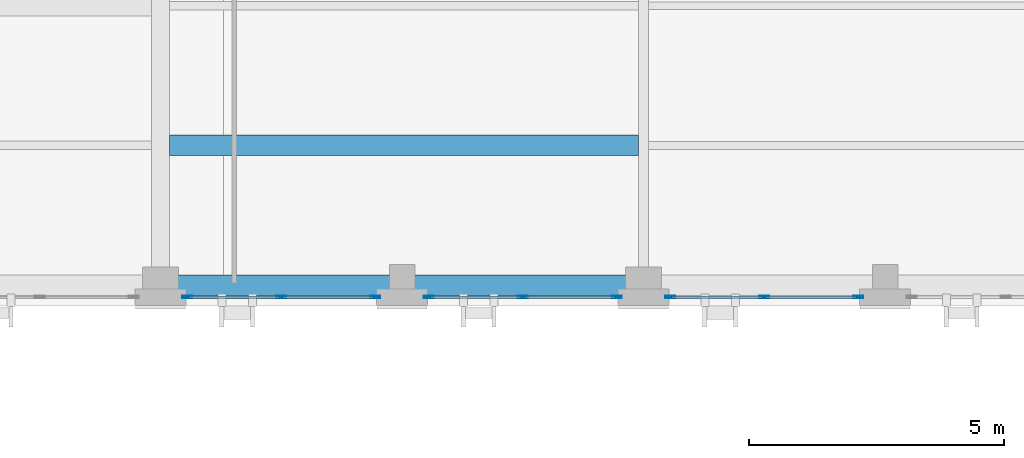
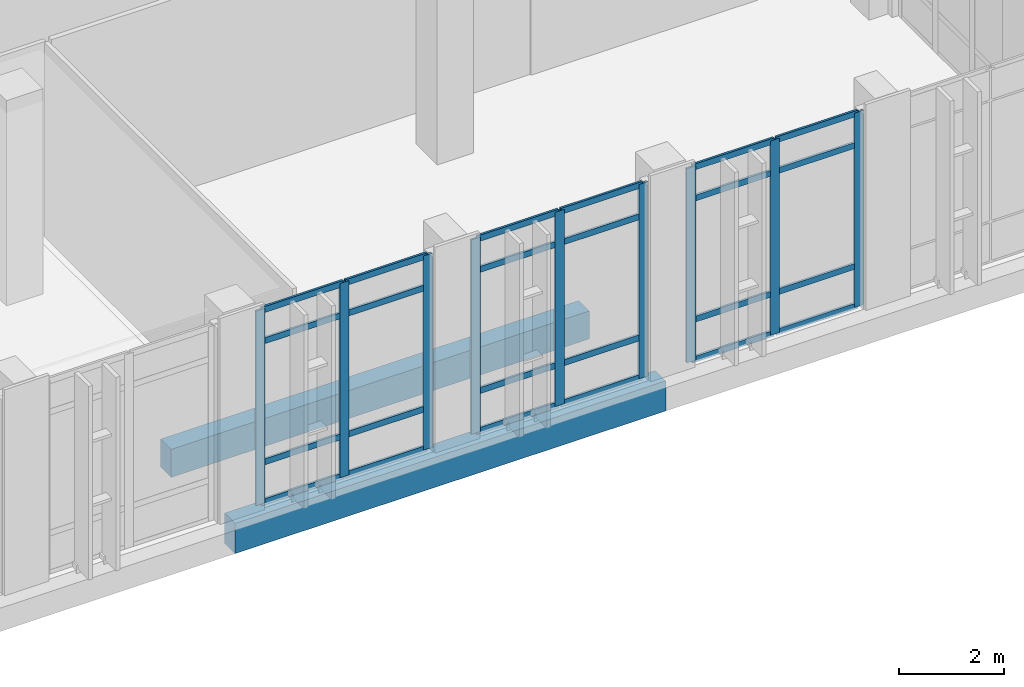
# One storey, part 34 of 189: 33 members, 2 beams, 3 elements without a shape of their own.
"""IFC4 building model written with IfcOpenShell, lengths in metres."""

from ifc_helpers import new_model, si_unit, direction, frame, origin, origin_2d, place, context, subcontext, project, spatial, rectangle, hollow_rectangle, extrude, material, layer, layer_set, material_profile, profile_set, type_object, element, aggregate, save


model = new_model("IFC4")

# Units and contexts
model_context = context("Model", 3, precision=1e-05, world=origin(), true_north=direction((0.0, 1.0)))
body_context = subcontext(model_context, "Body", "Model", "MODEL_VIEW")
ifc_project = project(units=[si_unit("LENGTHUNIT", "METRE"), si_unit("AREAUNIT", "SQUARE_METRE"), si_unit("VOLUMEUNIT", "CUBIC_METRE"), si_unit("PLANEANGLEUNIT", "RADIAN"), si_unit("MASSUNIT", "GRAM", prefix="KILO")], contexts=[model_context])

# Site, building, storey
site_placement = place(None, origin())
site = spatial("IfcSite", under=ifc_project, at=site_placement, CompositionType="ELEMENT")
building_placement = place(site_placement, origin())
building = spatial("IfcBuilding", under=site, at=building_placement, Name="Qalavern Law Courts", CompositionType="ELEMENT")
storey_placement = place(building_placement, frame((0.0, 0.0, 5.39990234375)))
storey = spatial("IfcBuildingStorey", under=building, at=storey_placement, Name="L01", CompositionType="ELEMENT", Elevation=5.39990234375)

# Curtain wall, members
ifc_material_1 = material(Name="Anodised aluminium and insulated glazing", Category="aluminium")
ifc_layer = layer(ifc_material_1, 0.18505859375)
ifc_layer_set = layer_set([ifc_layer], Name="Anodised aluminium and insulated glazing")
curtain_wall_type = type_object("IfcCurtainWallType", Name="ENV-CW-HALL", PredefinedType="USERDEFINED", material=ifc_layer_set)
curtain_wall_1_placement = place(storey_placement, origin())
curtain_wall_1 = element("IfcCurtainWall", 1, at=curtain_wall_1_placement, inside=storey, type_object=curtain_wall_type, Name="V2 unitised curtain wall L01 south 8", ObjectType="UNITISED CURTAIN WALL", PredefinedType="USERDEFINED")
ifc_material_2 = material(Name="Anodised aluminium", Category="aluminium")
ifc_material_profile_1 = material_profile(ifc_material_2, hollow_rectangle(XDim=0.048095703125, YDim=0.199951171875, WallThickness=0.00439453125, at=origin_2d()), Name="ALU MULLION 48x200")
ifc_profile_set_1 = profile_set([ifc_material_profile_1], Name="Anodised aluminium")
member_type_1 = type_object("IfcMemberType", Name="ENV-CWM-48x200", PredefinedType="MULLION", material=ifc_profile_set_1)
member_1_placement = place(storey_placement, frame((82.415283203125, 5.362548828125, 0.0), z_axis=(0.0, 0.0, 1.0), x_axis=(0.0, 1.0, 0.0)))
member_1 = element("IfcMember", 2, at=member_1_placement, type_object=member_type_1, Name="CW-02 mullion 1", PredefinedType="MULLION", context=body_context, shape_type="SweptSolid", body=[
    extrude(hollow_rectangle(XDim=0.048095703125, YDim=0.199951171875, WallThickness=0.00439453125, at=origin_2d()), origin(), (0.0, 0.0, 1.0), 4.510009765625),
])
member_2_placement = place(storey_placement, frame((84.255126953125, 5.362548828125, 0.0), z_axis=(0.0, 0.0, 1.0), x_axis=(0.0, 1.0, 0.0)))
member_2 = element("IfcMember", 3, at=member_2_placement, type_object=member_type_1, Name="CW-02 mullion 2", PredefinedType="MULLION", context=body_context, shape_type="SweptSolid", body=[
    extrude(hollow_rectangle(XDim=0.048095703125, YDim=0.199951171875, WallThickness=0.00439453125, at=origin_2d()), origin(), (0.0, 0.0, 1.0), 4.510009765625),
])
member_3_placement = place(storey_placement, frame((86.094970703125, 5.362548828125, 0.0), z_axis=(0.0, 0.0, 1.0), x_axis=(0.0, 1.0, 0.0)))
member_3 = element("IfcMember", 4, at=member_3_placement, type_object=member_type_1, Name="CW-02 mullion 3", PredefinedType="MULLION", context=body_context, shape_type="SweptSolid", body=[
    extrude(hollow_rectangle(XDim=0.048095703125, YDim=0.199951171875, WallThickness=0.00439453125, at=origin_2d()), origin(), (0.0, 0.0, 1.0), 4.510009765625),
])

curtain_wall_2_placement = place(storey_placement, origin())
curtain_wall_2 = element("IfcCurtainWall", 5, at=curtain_wall_2_placement, inside=storey, type_object=curtain_wall_type, Name="V2 unitised curtain wall L01 south 9", ObjectType="UNITISED CURTAIN WALL", PredefinedType="USERDEFINED")
member_4_placement = place(storey_placement, frame((87.14306640625, 5.362548828125, 0.0), z_axis=(0.0, 0.0, 1.0), x_axis=(0.0, 1.0, 0.0)))
member_4 = element("IfcMember", 6, at=member_4_placement, type_object=member_type_1, Name="CW-02 mullion 1", PredefinedType="MULLION", context=body_context, shape_type="SweptSolid", body=[
    extrude(hollow_rectangle(XDim=0.048095703125, YDim=0.199951171875, WallThickness=0.00439453125, at=origin_2d()), origin(), (0.0, 0.0, 1.0), 4.510009765625),
])
member_5_placement = place(storey_placement, frame((88.982421875, 5.362548828125, 0.0), z_axis=(0.0, 0.0, 1.0), x_axis=(0.0, 1.0, 0.0)))
member_5 = element("IfcMember", 7, at=member_5_placement, type_object=member_type_1, Name="CW-02 mullion 2", PredefinedType="MULLION", context=body_context, shape_type="SweptSolid", body=[
    extrude(hollow_rectangle(XDim=0.048095703125, YDim=0.199951171875, WallThickness=0.00439453125, at=origin_2d()), origin(), (0.0, 0.0, 1.0), 4.510009765625),
])
member_6_placement = place(storey_placement, frame((90.82177734375, 5.362548828125, 0.0), z_axis=(0.0, 0.0, 1.0), x_axis=(0.0, 1.0, 0.0)))
member_6 = element("IfcMember", 8, at=member_6_placement, type_object=member_type_1, Name="CW-02 mullion 3", PredefinedType="MULLION", context=body_context, shape_type="SweptSolid", body=[
    extrude(hollow_rectangle(XDim=0.048095703125, YDim=0.199951171875, WallThickness=0.00439453125, at=origin_2d()), origin(), (0.0, 0.0, 1.0), 4.510009765625),
])

curtain_wall_3_placement = place(storey_placement, origin())
curtain_wall_3 = element("IfcCurtainWall", 9, at=curtain_wall_3_placement, inside=storey, type_object=curtain_wall_type, Name="V2 unitised curtain wall L01 south 10", ObjectType="UNITISED CURTAIN WALL", PredefinedType="USERDEFINED")
member_7_placement = place(storey_placement, frame((91.86962890625, 5.362548828125, 0.0), z_axis=(0.0, 0.0, 1.0), x_axis=(0.0, 1.0, 0.0)))
member_7 = element("IfcMember", 10, at=member_7_placement, type_object=member_type_1, Name="CW-02 mullion 1", PredefinedType="MULLION", context=body_context, shape_type="SweptSolid", body=[
    extrude(hollow_rectangle(XDim=0.048095703125, YDim=0.199951171875, WallThickness=0.00439453125, at=origin_2d()), origin(), (0.0, 0.0, 1.0), 4.510009765625),
])
member_8_placement = place(storey_placement, frame((93.709228515625, 5.362548828125, 0.0), z_axis=(0.0, 0.0, 1.0), x_axis=(0.0, 1.0, 0.0)))
member_8 = element("IfcMember", 11, at=member_8_placement, type_object=member_type_1, Name="CW-02 mullion 2", PredefinedType="MULLION", context=body_context, shape_type="SweptSolid", body=[
    extrude(hollow_rectangle(XDim=0.048095703125, YDim=0.199951171875, WallThickness=0.00439453125, at=origin_2d()), origin(), (0.0, 0.0, 1.0), 4.510009765625),
])
member_9_placement = place(storey_placement, frame((95.549072265625, 5.362548828125, 0.0), z_axis=(0.0, 0.0, 1.0), x_axis=(0.0, 1.0, 0.0)))
member_9 = element("IfcMember", 12, at=member_9_placement, type_object=member_type_1, Name="CW-02 mullion 3", PredefinedType="MULLION", context=body_context, shape_type="SweptSolid", body=[
    extrude(hollow_rectangle(XDim=0.048095703125, YDim=0.199951171875, WallThickness=0.00439453125, at=origin_2d()), origin(), (0.0, 0.0, 1.0), 4.510009765625),
])

# Member
ifc_material_profile_2 = material_profile(ifc_material_2, hollow_rectangle(XDim=0.048095703125, YDim=0.139892578125, WallThickness=0.00390625, at=origin_2d()), Name="ALU TRANSOM 48x140")
ifc_profile_set_2 = profile_set([ifc_material_profile_2], Name="Anodised aluminium")
member_type_2 = type_object("IfcMemberType", Name="ENV-CWT-48x140", PredefinedType="USERDEFINED", material=ifc_profile_set_2)
member_10_placement = place(storey_placement, frame((82.439453125, 5.362548828125, 0.024169921875), z_axis=(1.0, 0.0, 0.0), x_axis=(0.0, 1.0, 0.0)))
member_10 = element("IfcMember", 13, at=member_10_placement, type_object=member_type_2, Name="CW-02 transom 1.1", ObjectType="TRANSOM", PredefinedType="USERDEFINED", context=body_context, shape_type="SweptSolid", body=[
    extrude(hollow_rectangle(XDim=0.048095703125, YDim=0.139892578125, WallThickness=0.00390625, at=origin_2d()), origin(), (0.0, 0.0, 1.0), 1.791748046875),
])

member_11_placement = place(storey_placement, frame((82.439453125, 5.362548828125, 0.9501953125), z_axis=(1.0, 0.0, 0.0), x_axis=(0.0, 1.0, 0.0)))
member_11 = element("IfcMember", 14, at=member_11_placement, type_object=member_type_2, Name="CW-02 transom 1.2", ObjectType="TRANSOM", PredefinedType="USERDEFINED", context=body_context, shape_type="SweptSolid", body=[
    extrude(hollow_rectangle(XDim=0.048095703125, YDim=0.139892578125, WallThickness=0.00390625, at=origin_2d()), origin(), (0.0, 0.0, 1.0), 1.791748046875),
])

member_12_placement = place(storey_placement, frame((82.439453125, 5.362548828125, 3.760009765625), z_axis=(1.0, 0.0, 0.0), x_axis=(0.0, 1.0, 0.0)))
member_12 = element("IfcMember", 15, at=member_12_placement, type_object=member_type_2, Name="CW-02 transom 1.3", ObjectType="TRANSOM", PredefinedType="USERDEFINED", context=body_context, shape_type="SweptSolid", body=[
    extrude(hollow_rectangle(XDim=0.048095703125, YDim=0.139892578125, WallThickness=0.00390625, at=origin_2d()), origin(), (0.0, 0.0, 1.0), 1.791748046875),
])

member_13_placement = place(storey_placement, frame((82.439453125, 5.362548828125, 4.486083984375), z_axis=(1.0, 0.0, 0.0), x_axis=(0.0, 1.0, 0.0)))
member_13 = element("IfcMember", 16, at=member_13_placement, type_object=member_type_2, Name="CW-02 transom 1.4", ObjectType="TRANSOM", PredefinedType="USERDEFINED", context=body_context, shape_type="SweptSolid", body=[
    extrude(hollow_rectangle(XDim=0.048095703125, YDim=0.139892578125, WallThickness=0.00390625, at=origin_2d()), origin(), (0.0, 0.0, 1.0), 1.791748046875),
])

member_14_placement = place(storey_placement, frame((84.279296875, 5.362548828125, 0.024169921875), z_axis=(1.0, 0.0, 0.0), x_axis=(0.0, 1.0, 0.0)))
member_14 = element("IfcMember", 17, at=member_14_placement, type_object=member_type_2, Name="CW-02 transom 2.1", ObjectType="TRANSOM", PredefinedType="USERDEFINED", context=body_context, shape_type="SweptSolid", body=[
    extrude(hollow_rectangle(XDim=0.048095703125, YDim=0.139892578125, WallThickness=0.00390625, at=origin_2d()), origin(), (0.0, 0.0, 1.0), 1.791748046875),
])

member_15_placement = place(storey_placement, frame((84.279296875, 5.362548828125, 0.9501953125), z_axis=(1.0, 0.0, 0.0), x_axis=(0.0, 1.0, 0.0)))
member_15 = element("IfcMember", 18, at=member_15_placement, type_object=member_type_2, Name="CW-02 transom 2.2", ObjectType="TRANSOM", PredefinedType="USERDEFINED", context=body_context, shape_type="SweptSolid", body=[
    extrude(hollow_rectangle(XDim=0.048095703125, YDim=0.139892578125, WallThickness=0.00390625, at=origin_2d()), origin(), (0.0, 0.0, 1.0), 1.791748046875),
])

member_16_placement = place(storey_placement, frame((84.279296875, 5.362548828125, 3.760009765625), z_axis=(1.0, 0.0, 0.0), x_axis=(0.0, 1.0, 0.0)))
member_16 = element("IfcMember", 19, at=member_16_placement, type_object=member_type_2, Name="CW-02 transom 2.3", ObjectType="TRANSOM", PredefinedType="USERDEFINED", context=body_context, shape_type="SweptSolid", body=[
    extrude(hollow_rectangle(XDim=0.048095703125, YDim=0.139892578125, WallThickness=0.00390625, at=origin_2d()), origin(), (0.0, 0.0, 1.0), 1.791748046875),
])

member_17_placement = place(storey_placement, frame((84.279296875, 5.362548828125, 4.486083984375), z_axis=(1.0, 0.0, 0.0), x_axis=(0.0, 1.0, 0.0)))
member_17 = element("IfcMember", 20, at=member_17_placement, type_object=member_type_2, Name="CW-02 transom 2.4", ObjectType="TRANSOM", PredefinedType="USERDEFINED", context=body_context, shape_type="SweptSolid", body=[
    extrude(hollow_rectangle(XDim=0.048095703125, YDim=0.139892578125, WallThickness=0.00390625, at=origin_2d()), origin(), (0.0, 0.0, 1.0), 1.791748046875),
])

aggregate(curtain_wall_1, [member_1, member_2, member_3, member_10, member_11, member_12, member_13, member_14, member_15, member_16, member_17])

member_18_placement = place(storey_placement, frame((87.1669921875, 5.362548828125, 0.024169921875), z_axis=(1.0, 0.0, 0.0), x_axis=(0.0, 1.0, 0.0)))
member_18 = element("IfcMember", 21, at=member_18_placement, type_object=member_type_2, Name="CW-02 transom 1.1", ObjectType="TRANSOM", PredefinedType="USERDEFINED", context=body_context, shape_type="SweptSolid", body=[
    extrude(hollow_rectangle(XDim=0.048095703125, YDim=0.139892578125, WallThickness=0.00390625, at=origin_2d()), origin(), (0.0, 0.0, 1.0), 1.791259765625),
])

member_19_placement = place(storey_placement, frame((87.1669921875, 5.362548828125, 0.9501953125), z_axis=(1.0, 0.0, 0.0), x_axis=(0.0, 1.0, 0.0)))
member_19 = element("IfcMember", 22, at=member_19_placement, type_object=member_type_2, Name="CW-02 transom 1.2", ObjectType="TRANSOM", PredefinedType="USERDEFINED", context=body_context, shape_type="SweptSolid", body=[
    extrude(hollow_rectangle(XDim=0.048095703125, YDim=0.139892578125, WallThickness=0.00390625, at=origin_2d()), origin(), (0.0, 0.0, 1.0), 1.791259765625),
])

member_20_placement = place(storey_placement, frame((87.1669921875, 5.362548828125, 3.760009765625), z_axis=(1.0, 0.0, 0.0), x_axis=(0.0, 1.0, 0.0)))
member_20 = element("IfcMember", 23, at=member_20_placement, type_object=member_type_2, Name="CW-02 transom 1.3", ObjectType="TRANSOM", PredefinedType="USERDEFINED", context=body_context, shape_type="SweptSolid", body=[
    extrude(hollow_rectangle(XDim=0.048095703125, YDim=0.139892578125, WallThickness=0.00390625, at=origin_2d()), origin(), (0.0, 0.0, 1.0), 1.791259765625),
])

member_21_placement = place(storey_placement, frame((87.1669921875, 5.362548828125, 4.486083984375), z_axis=(1.0, 0.0, 0.0), x_axis=(0.0, 1.0, 0.0)))
member_21 = element("IfcMember", 24, at=member_21_placement, type_object=member_type_2, Name="CW-02 transom 1.4", ObjectType="TRANSOM", PredefinedType="USERDEFINED", context=body_context, shape_type="SweptSolid", body=[
    extrude(hollow_rectangle(XDim=0.048095703125, YDim=0.139892578125, WallThickness=0.00390625, at=origin_2d()), origin(), (0.0, 0.0, 1.0), 1.791259765625),
])

member_22_placement = place(storey_placement, frame((89.00634765625, 5.362548828125, 0.024169921875), z_axis=(1.0, 0.0, 0.0), x_axis=(0.0, 1.0, 0.0)))
member_22 = element("IfcMember", 25, at=member_22_placement, type_object=member_type_2, Name="CW-02 transom 2.1", ObjectType="TRANSOM", PredefinedType="USERDEFINED", context=body_context, shape_type="SweptSolid", body=[
    extrude(hollow_rectangle(XDim=0.048095703125, YDim=0.139892578125, WallThickness=0.00390625, at=origin_2d()), origin(), (0.0, 0.0, 1.0), 1.791259765625),
])

member_23_placement = place(storey_placement, frame((89.00634765625, 5.362548828125, 0.9501953125), z_axis=(1.0, 0.0, 0.0), x_axis=(0.0, 1.0, 0.0)))
member_23 = element("IfcMember", 26, at=member_23_placement, type_object=member_type_2, Name="CW-02 transom 2.2", ObjectType="TRANSOM", PredefinedType="USERDEFINED", context=body_context, shape_type="SweptSolid", body=[
    extrude(hollow_rectangle(XDim=0.048095703125, YDim=0.139892578125, WallThickness=0.00390625, at=origin_2d()), origin(), (0.0, 0.0, 1.0), 1.791259765625),
])

member_24_placement = place(storey_placement, frame((89.00634765625, 5.362548828125, 3.760009765625), z_axis=(1.0, 0.0, 0.0), x_axis=(0.0, 1.0, 0.0)))
member_24 = element("IfcMember", 27, at=member_24_placement, type_object=member_type_2, Name="CW-02 transom 2.3", ObjectType="TRANSOM", PredefinedType="USERDEFINED", context=body_context, shape_type="SweptSolid", body=[
    extrude(hollow_rectangle(XDim=0.048095703125, YDim=0.139892578125, WallThickness=0.00390625, at=origin_2d()), origin(), (0.0, 0.0, 1.0), 1.791259765625),
])

member_25_placement = place(storey_placement, frame((89.00634765625, 5.362548828125, 4.486083984375), z_axis=(1.0, 0.0, 0.0), x_axis=(0.0, 1.0, 0.0)))
member_25 = element("IfcMember", 28, at=member_25_placement, type_object=member_type_2, Name="CW-02 transom 2.4", ObjectType="TRANSOM", PredefinedType="USERDEFINED", context=body_context, shape_type="SweptSolid", body=[
    extrude(hollow_rectangle(XDim=0.048095703125, YDim=0.139892578125, WallThickness=0.00390625, at=origin_2d()), origin(), (0.0, 0.0, 1.0), 1.791259765625),
])

aggregate(curtain_wall_2, [member_4, member_5, member_6, member_18, member_19, member_20, member_21, member_22, member_23, member_24, member_25])

member_26_placement = place(storey_placement, frame((91.893798828125, 5.362548828125, 0.024169921875), z_axis=(1.0, 0.0, 0.0), x_axis=(0.0, 1.0, 0.0)))
member_26 = element("IfcMember", 29, at=member_26_placement, type_object=member_type_2, Name="CW-02 transom 1.1", ObjectType="TRANSOM", PredefinedType="USERDEFINED", context=body_context, shape_type="SweptSolid", body=[
    extrude(hollow_rectangle(XDim=0.048095703125, YDim=0.139892578125, WallThickness=0.00390625, at=origin_2d()), origin(), (0.0, 0.0, 1.0), 1.79150390625),
])

member_27_placement = place(storey_placement, frame((91.893798828125, 5.362548828125, 0.9501953125), z_axis=(1.0, 0.0, 0.0), x_axis=(0.0, 1.0, 0.0)))
member_27 = element("IfcMember", 30, at=member_27_placement, type_object=member_type_2, Name="CW-02 transom 1.2", ObjectType="TRANSOM", PredefinedType="USERDEFINED", context=body_context, shape_type="SweptSolid", body=[
    extrude(hollow_rectangle(XDim=0.048095703125, YDim=0.139892578125, WallThickness=0.00390625, at=origin_2d()), origin(), (0.0, 0.0, 1.0), 1.79150390625),
])

member_28_placement = place(storey_placement, frame((91.893798828125, 5.362548828125, 3.760009765625), z_axis=(1.0, 0.0, 0.0), x_axis=(0.0, 1.0, 0.0)))
member_28 = element("IfcMember", 31, at=member_28_placement, type_object=member_type_2, Name="CW-02 transom 1.3", ObjectType="TRANSOM", PredefinedType="USERDEFINED", context=body_context, shape_type="SweptSolid", body=[
    extrude(hollow_rectangle(XDim=0.048095703125, YDim=0.139892578125, WallThickness=0.00390625, at=origin_2d()), origin(), (0.0, 0.0, 1.0), 1.79150390625),
])

member_29_placement = place(storey_placement, frame((91.893798828125, 5.362548828125, 4.486083984375), z_axis=(1.0, 0.0, 0.0), x_axis=(0.0, 1.0, 0.0)))
member_29 = element("IfcMember", 32, at=member_29_placement, type_object=member_type_2, Name="CW-02 transom 1.4", ObjectType="TRANSOM", PredefinedType="USERDEFINED", context=body_context, shape_type="SweptSolid", body=[
    extrude(hollow_rectangle(XDim=0.048095703125, YDim=0.139892578125, WallThickness=0.00390625, at=origin_2d()), origin(), (0.0, 0.0, 1.0), 1.79150390625),
])

member_30_placement = place(storey_placement, frame((93.7333984375, 5.362548828125, 0.024169921875), z_axis=(1.0, 0.0, 0.0), x_axis=(0.0, 1.0, 0.0)))
member_30 = element("IfcMember", 33, at=member_30_placement, type_object=member_type_2, Name="CW-02 transom 2.1", ObjectType="TRANSOM", PredefinedType="USERDEFINED", context=body_context, shape_type="SweptSolid", body=[
    extrude(hollow_rectangle(XDim=0.048095703125, YDim=0.139892578125, WallThickness=0.00390625, at=origin_2d()), origin(), (0.0, 0.0, 1.0), 1.79150390625),
])

member_31_placement = place(storey_placement, frame((93.7333984375, 5.362548828125, 0.9501953125), z_axis=(1.0, 0.0, 0.0), x_axis=(0.0, 1.0, 0.0)))
member_31 = element("IfcMember", 34, at=member_31_placement, type_object=member_type_2, Name="CW-02 transom 2.2", ObjectType="TRANSOM", PredefinedType="USERDEFINED", context=body_context, shape_type="SweptSolid", body=[
    extrude(hollow_rectangle(XDim=0.048095703125, YDim=0.139892578125, WallThickness=0.00390625, at=origin_2d()), origin(), (0.0, 0.0, 1.0), 1.79150390625),
])

member_32_placement = place(storey_placement, frame((93.7333984375, 5.362548828125, 3.760009765625), z_axis=(1.0, 0.0, 0.0), x_axis=(0.0, 1.0, 0.0)))
member_32 = element("IfcMember", 35, at=member_32_placement, type_object=member_type_2, Name="CW-02 transom 2.3", ObjectType="TRANSOM", PredefinedType="USERDEFINED", context=body_context, shape_type="SweptSolid", body=[
    extrude(hollow_rectangle(XDim=0.048095703125, YDim=0.139892578125, WallThickness=0.00390625, at=origin_2d()), origin(), (0.0, 0.0, 1.0), 1.79150390625),
])

member_33_placement = place(storey_placement, frame((93.7333984375, 5.362548828125, 4.486083984375), z_axis=(1.0, 0.0, 0.0), x_axis=(0.0, 1.0, 0.0)))
member_33 = element("IfcMember", 36, at=member_33_placement, type_object=member_type_2, Name="CW-02 transom 2.4", ObjectType="TRANSOM", PredefinedType="USERDEFINED", context=body_context, shape_type="SweptSolid", body=[
    extrude(hollow_rectangle(XDim=0.048095703125, YDim=0.139892578125, WallThickness=0.00390625, at=origin_2d()), origin(), (0.0, 0.0, 1.0), 1.79150390625),
])

aggregate(curtain_wall_3, [member_7, member_8, member_9, member_26, member_27, member_28, member_29, member_30, member_31, member_32, member_33])

# Beams
ifc_material_3 = material(Name="Concrete C35/45", Category="concrete")
ifc_material_profile_3 = material_profile(ifc_material_3, rectangle(XDim=0.39990234375, YDim=0.64990234375, at=origin_2d()), Name="RC 400x650")
ifc_profile_set_3 = profile_set([ifc_material_profile_3], Name="Concrete C35/45")
beam_type_1 = type_object("IfcBeamType", Name="STR-JST-RC400x650", PredefinedType="JOIST", material=ifc_profile_set_3)
beam_1_placement = place(storey_placement, frame((82.064453125, 8.333251953125, -0.625), z_axis=(1.0, 0.0, 0.0), x_axis=(0.0, 1.0, 0.0)))
element("IfcBeam", 37, at=beam_1_placement, inside=storey, type_object=beam_type_1, Name="V2 secondary joist 6.1.1 L01", PredefinedType="JOIST", context=body_context, shape_type="SweptSolid", body=[
    extrude(rectangle(XDim=0.39990234375, YDim=0.64990234375, at=origin_2d()), origin(), (0.0, 0.0, 1.0), 9.183349609375),
])
ifc_material_4 = material(Name="Concrete C40/50", Category="concrete")
ifc_material_profile_4 = material_profile(ifc_material_4, rectangle(XDim=0.39990234375, YDim=0.699951171875, at=origin_2d()), Name="RC 400x700")
ifc_profile_set_4 = profile_set([ifc_material_profile_4], Name="Concrete C40/50")
beam_type_2 = type_object("IfcBeamType", Name="STR-SP-RC400x700", PredefinedType="SPANDREL", material=ifc_profile_set_4)
beam_2_placement = place(storey_placement, frame((81.891357421875, 5.60009765625, -0.64990234375), z_axis=(1.0, 0.0, 0.0), x_axis=(0.0, 1.0, 0.0)))
element("IfcBeam", 38, at=beam_2_placement, inside=storey, type_object=beam_type_2, Name="V2 X-beam 1-6 L01", PredefinedType="SPANDREL", context=body_context, shape_type="SweptSolid", body=[
    extrude(rectangle(XDim=0.39990234375, YDim=0.699951171875, at=origin_2d()), origin(), (0.0, 0.0, 1.0), 9.454345703125),
])

save(model, "model.ifc")
